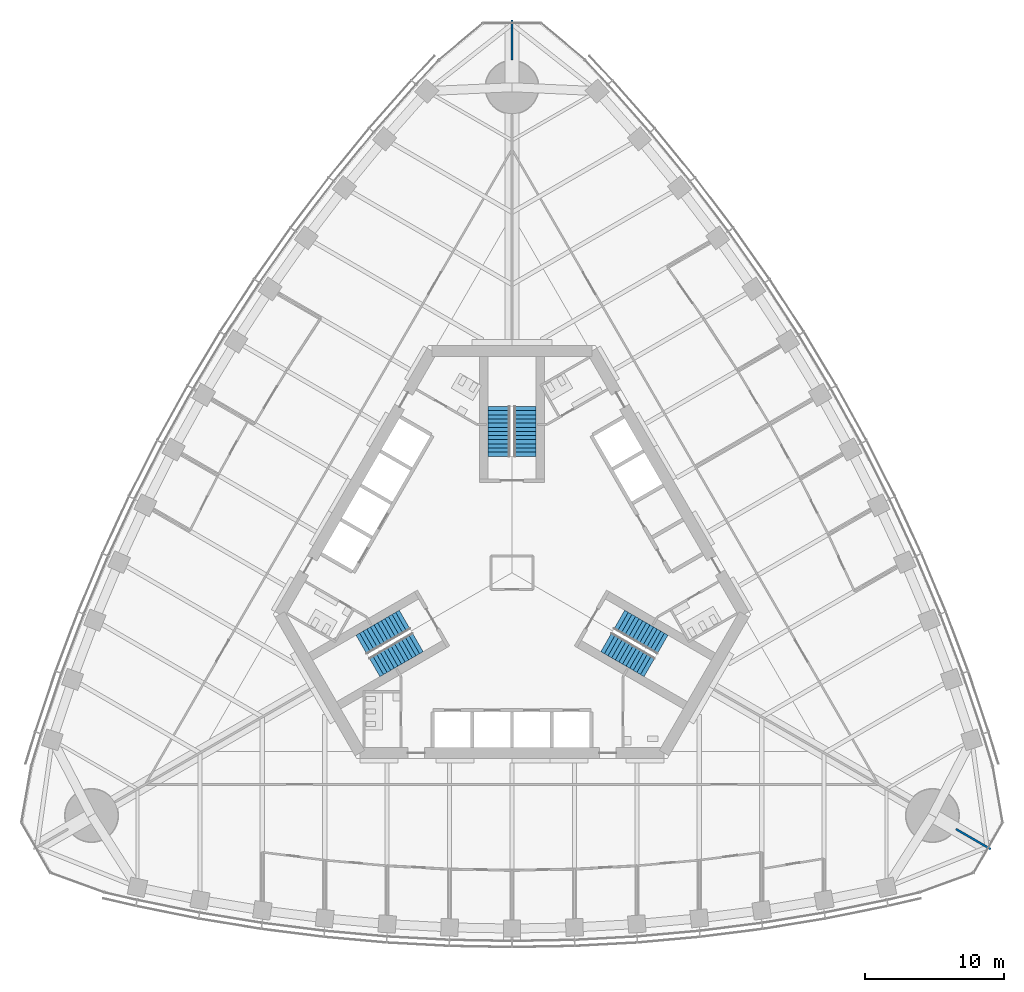
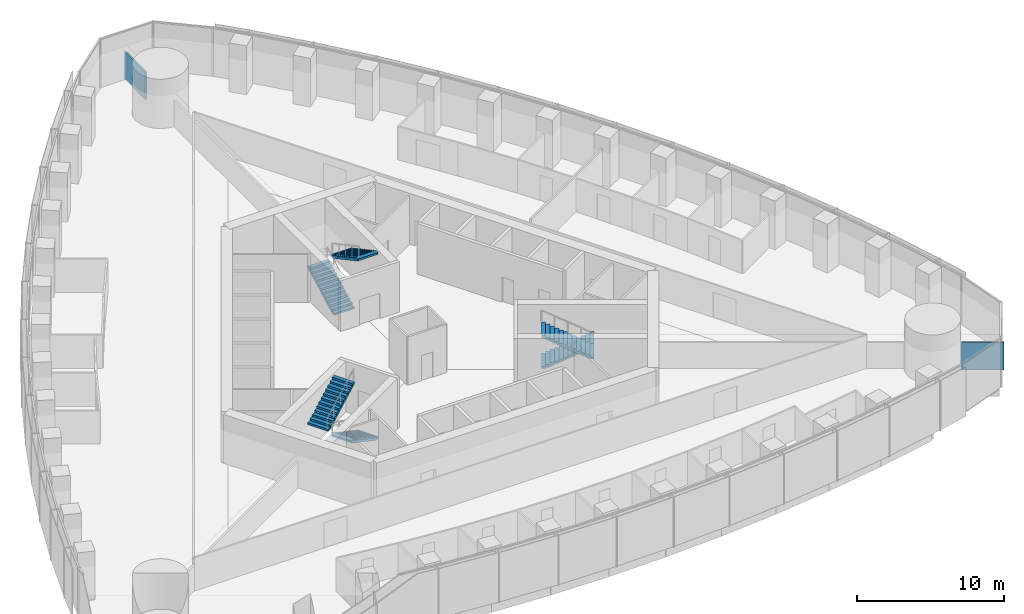
# One storey, part 16 of 21: 6 stair flights, 2 walls, 3 elements without a shape of their own.
"""IFC4 building model written with IfcOpenShell, lengths in metres."""

from ifc_helpers import new_model, si_unit, direction, frame, frame_2d, origin, place, context, subcontext, project, spatial, polyline, rectangle, outline, extrude, material, layer, layer_set, type_object, element, aggregate, save


model = new_model("IFC4")

# Units and contexts
model_context = context("Model", 3, precision=1e-05, world=origin(), true_north=direction((0.0, 1.0)))
body_context = subcontext(model_context, "Body", "Model", "MODEL_VIEW")
ifc_project = project(units=[si_unit("LENGTHUNIT", "METRE"), si_unit("AREAUNIT", "SQUARE_METRE"), si_unit("VOLUMEUNIT", "CUBIC_METRE"), si_unit("PLANEANGLEUNIT", "RADIAN"), si_unit("MASSUNIT", "GRAM", prefix="KILO")], contexts=[model_context])

# Site, building, storey
site_placement = place(None, origin())
site = spatial("IfcSite", under=ifc_project, at=site_placement, CompositionType="ELEMENT")
building_placement = place(site_placement, origin())
building = spatial("IfcBuilding", under=site, at=building_placement, Name="Trefoil Bronze Tower", CompositionType="ELEMENT")
storey_placement = place(building_placement, frame((0.0, 0.0, 145.10009765625)))
storey = spatial("IfcBuildingStorey", under=building, at=storey_placement, Name="L33", CompositionType="ELEMENT", Elevation=145.10009765625)

# Walls
ifc_material_1 = material(Name="Gypsum board on steel studs", Category="steel")
ifc_layer = layer(ifc_material_1, 0.14990234375)
ifc_layer_set = layer_set([ifc_layer], Name="Party wall 150")
wall_type = type_object("IfcWallType", Name="Party wall 150", PredefinedType="PARTITIONING", material=ifc_layer_set)
wall_1_placement = place(storey_placement, frame((31.999755859375, -18.47509765625, 0.0), z_axis=(0.0, 0.0, 1.0), x_axis=(0.866042548026, -0.499970304126, 0.0)))
element("IfcWall", 1, at=wall_1_placement, inside=storey, type_object=wall_type, Name="Party wall K1 L33", PredefinedType="PARTITIONING", context=body_context, shape_type="SweptSolid", body=[
    extrude(rectangle(XDim=2.899169921875, YDim=0.14990234375, at=frame_2d((1.44970703125, 0.0))), origin(), (0.0, 0.0, 1.0), 2.2998046875),
])
wall_2_placement = place(storey_placement, frame((0.0, 36.949951171875, 0.0), z_axis=(0.0, 0.0, 1.0), x_axis=(0.0, 1.0, 0.0)))
element("IfcWall", 2, at=wall_2_placement, inside=storey, type_object=wall_type, Name="Party wall K2 L33", PredefinedType="PARTITIONING", context=body_context, shape_type="SweptSolid", body=[
    extrude(rectangle(XDim=2.8994140625, YDim=0.14990234375, at=frame_2d((1.44970703125, 0.0))), origin(), (0.0, 0.0, 1.0), 2.2998046875),
])

# Stair, stair flights
ifc_material_2 = material(Name="Precast concrete B80", Category="concrete")
stair_type = type_object("IfcStairType", Name="Exit stair 26 risers", PredefinedType="HALF_TURN_STAIR", material=ifc_material_2)
stair_1_placement = place(storey_placement, origin())
stair_1 = element("IfcStair", 3, at=stair_1_placement, inside=storey, type_object=stair_type, Name="Stair ST1 L33", PredefinedType="HALF_TURN_STAIR")
ifc_material_3 = material(Name="Precast concrete B80", Category="concrete")
stair_flight_type = type_object("IfcStairFlightType", Name="Stair flight 1600", PredefinedType="STRAIGHT", material=ifc_material_3)
stair_flight_1_placement = place(storey_placement, frame((7.728515625, -3.39404296875, 0.0), z_axis=(0.0, 0.0, 1.0), x_axis=(0.866025403784, -0.5, 0.0)))
stair_flight_1 = element("IfcStairFlight", 4, at=stair_flight_1_placement, type_object=stair_flight_type, Name="ST1 flight 1", NumberOfRisers=13, NumberOfTreads=12, PredefinedType="STRAIGHT", RiserHeight=0.161538462, TreadLength=0.3, context=body_context, shape_type="SweptSolid", body=[
    extrude(outline(polyline([(0.0, 0.0), (0.0, 0.16162109375), (0.300048828125, 0.16162109375), (0.300048828125, 0.322998046875), (0.60009765625, 0.322998046875), (0.60009765625, 0.484619140625), (0.89990234375, 0.484619140625), (0.89990234375, 0.646240234375), (1.199951171875, 0.646240234375), (1.199951171875, 0.8076171875), (1.5, 0.8076171875), (1.5, 0.96923828125), (1.800048828125, 0.96923828125), (1.800048828125, 1.130859375), (2.10009765625, 1.130859375), (2.10009765625, 1.292236328125), (2.39990234375, 1.292236328125), (2.39990234375, 1.453857421875), (2.699951171875, 1.453857421875), (2.699951171875, 1.615478515625), (3.0, 1.615478515625), (3.0, 1.77685546875), (3.300048828125, 1.77685546875), (3.300048828125, 1.9384765625), (3.60009765625, 1.9384765625), (3.60009765625, 2.10009765625), (3.60009765625, 1.768310546875), (0.316162109375, 0.0), (0.0, 0.0)])), frame((0.0, 0.800048828125, 0.0), z_axis=(0.0, -1.0, 0.0), x_axis=(1.0, 0.0, 0.0)), (0.0, 0.0, 1.0), 1.60009765625),
])
stair_flight_2_placement = place(storey_placement, frame((9.921142578125, -6.796142578125, 2.099853515625), z_axis=(0.0, 0.0, 1.0), x_axis=(-0.866025403784, 0.5, 0.0)))
stair_flight_2 = element("IfcStairFlight", 5, at=stair_flight_2_placement, type_object=stair_flight_type, Name="ST1 flight 2", NumberOfRisers=13, NumberOfTreads=12, PredefinedType="STRAIGHT", RiserHeight=0.161538462, TreadLength=0.3, context=body_context, shape_type="SweptSolid", body=[
    extrude(outline(polyline([(0.0, 0.0), (0.0, 0.16162109375), (0.300048828125, 0.16162109375), (0.300048828125, 0.322998046875), (0.60009765625, 0.322998046875), (0.60009765625, 0.484619140625), (0.89990234375, 0.484619140625), (0.89990234375, 0.646240234375), (1.199951171875, 0.646240234375), (1.199951171875, 0.8076171875), (1.5, 0.8076171875), (1.5, 0.96923828125), (1.800048828125, 0.96923828125), (1.800048828125, 1.130859375), (2.10009765625, 1.130859375), (2.10009765625, 1.292236328125), (2.39990234375, 1.292236328125), (2.39990234375, 1.453857421875), (2.699951171875, 1.453857421875), (2.699951171875, 1.615478515625), (3.0, 1.615478515625), (3.0, 1.77685546875), (3.300048828125, 1.77685546875), (3.300048828125, 1.9384765625), (3.60009765625, 1.9384765625), (3.60009765625, 2.10009765625), (3.60009765625, 1.768310546875), (0.316162109375, 0.0), (0.0, 0.0)])), frame((0.0, 0.800048828125, 0.0), z_axis=(0.0, -1.0, 0.0), x_axis=(1.0, 0.0, 0.0)), (0.0, 0.0, 1.0), 1.60009765625),
])
aggregate(stair_1, [stair_flight_1, stair_flight_2])

stair_2_placement = place(storey_placement, origin())
stair_2 = element("IfcStair", 6, at=stair_2_placement, inside=storey, type_object=stair_type, Name="Stair ST2 L33", PredefinedType="HALF_TURN_STAIR")
stair_flight_3_placement = place(storey_placement, frame((-0.925048828125, 8.389892578125, 0.0), z_axis=(0.0, 0.0, 1.0), x_axis=(0.0, 1.0, 0.0)))
stair_flight_3 = element("IfcStairFlight", 7, at=stair_flight_3_placement, type_object=stair_flight_type, Name="ST2 flight 1", NumberOfRisers=13, NumberOfTreads=12, PredefinedType="STRAIGHT", RiserHeight=0.161538462, TreadLength=0.3, context=body_context, shape_type="SweptSolid", body=[
    extrude(outline(polyline([(0.0, 0.0), (0.0, 0.16162109375), (0.300048828125, 0.16162109375), (0.300048828125, 0.322998046875), (0.60009765625, 0.322998046875), (0.60009765625, 0.484619140625), (0.89990234375, 0.484619140625), (0.89990234375, 0.646240234375), (1.199951171875, 0.646240234375), (1.199951171875, 0.8076171875), (1.5, 0.8076171875), (1.5, 0.96923828125), (1.800048828125, 0.96923828125), (1.800048828125, 1.130859375), (2.10009765625, 1.130859375), (2.10009765625, 1.292236328125), (2.39990234375, 1.292236328125), (2.39990234375, 1.453857421875), (2.699951171875, 1.453857421875), (2.699951171875, 1.615478515625), (3.0, 1.615478515625), (3.0, 1.77685546875), (3.300048828125, 1.77685546875), (3.300048828125, 1.9384765625), (3.60009765625, 1.9384765625), (3.60009765625, 2.10009765625), (3.60009765625, 1.768310546875), (0.316162109375, 0.0), (0.0, 0.0)])), frame((0.0, 0.800048828125, 0.0), z_axis=(0.0, -1.0, 0.0), x_axis=(1.0, 0.0, 0.0)), (0.0, 0.0, 1.0), 1.60009765625),
])
stair_flight_4_placement = place(storey_placement, frame((0.925048828125, 11.989990234375, 2.099853515625), z_axis=(0.0, 0.0, 1.0), x_axis=(0.0, -1.0, 0.0)))
stair_flight_4 = element("IfcStairFlight", 8, at=stair_flight_4_placement, type_object=stair_flight_type, Name="ST2 flight 2", NumberOfRisers=13, NumberOfTreads=12, PredefinedType="STRAIGHT", RiserHeight=0.161538462, TreadLength=0.3, context=body_context, shape_type="SweptSolid", body=[
    extrude(outline(polyline([(0.0, 0.0), (0.0, 0.16162109375), (0.300048828125, 0.16162109375), (0.300048828125, 0.322998046875), (0.60009765625, 0.322998046875), (0.60009765625, 0.484619140625), (0.89990234375, 0.484619140625), (0.89990234375, 0.646240234375), (1.199951171875, 0.646240234375), (1.199951171875, 0.8076171875), (1.5, 0.8076171875), (1.5, 0.96923828125), (1.800048828125, 0.96923828125), (1.800048828125, 1.130859375), (2.10009765625, 1.130859375), (2.10009765625, 1.292236328125), (2.39990234375, 1.292236328125), (2.39990234375, 1.453857421875), (2.699951171875, 1.453857421875), (2.699951171875, 1.615478515625), (3.0, 1.615478515625), (3.0, 1.77685546875), (3.300048828125, 1.77685546875), (3.300048828125, 1.9384765625), (3.60009765625, 1.9384765625), (3.60009765625, 2.10009765625), (3.60009765625, 1.768310546875), (0.316162109375, 0.0), (0.0, 0.0)])), frame((0.0, 0.800048828125, 0.0), z_axis=(0.0, -1.0, 0.0), x_axis=(1.0, 0.0, 0.0)), (0.0, 0.0, 1.0), 1.60009765625),
])
aggregate(stair_2, [stair_flight_3, stair_flight_4])

stair_3_placement = place(storey_placement, origin())
stair_3 = element("IfcStair", 9, at=stair_3_placement, inside=storey, type_object=stair_type, Name="Stair ST3 L33", PredefinedType="HALF_TURN_STAIR")
stair_flight_5_placement = place(storey_placement, frame((-6.803466796875, -4.99609375, 0.0), z_axis=(0.0, 0.0, 1.0), x_axis=(-0.866025403784, -0.5, 0.0)))
stair_flight_5 = element("IfcStairFlight", 10, at=stair_flight_5_placement, type_object=stair_flight_type, Name="ST3 flight 1", NumberOfRisers=13, NumberOfTreads=12, PredefinedType="STRAIGHT", RiserHeight=0.161538462, TreadLength=0.3, context=body_context, shape_type="SweptSolid", body=[
    extrude(outline(polyline([(0.0, 0.0), (0.0, 0.16162109375), (0.300048828125, 0.16162109375), (0.300048828125, 0.322998046875), (0.60009765625, 0.322998046875), (0.60009765625, 0.484619140625), (0.89990234375, 0.484619140625), (0.89990234375, 0.646240234375), (1.199951171875, 0.646240234375), (1.199951171875, 0.8076171875), (1.5, 0.8076171875), (1.5, 0.96923828125), (1.800048828125, 0.96923828125), (1.800048828125, 1.130859375), (2.10009765625, 1.130859375), (2.10009765625, 1.292236328125), (2.39990234375, 1.292236328125), (2.39990234375, 1.453857421875), (2.699951171875, 1.453857421875), (2.699951171875, 1.615478515625), (3.0, 1.615478515625), (3.0, 1.77685546875), (3.300048828125, 1.77685546875), (3.300048828125, 1.9384765625), (3.60009765625, 1.9384765625), (3.60009765625, 2.10009765625), (3.60009765625, 1.768310546875), (0.316162109375, 0.0), (0.0, 0.0)])), frame((0.0, 0.800048828125, 0.0), z_axis=(0.0, -1.0, 0.0), x_axis=(1.0, 0.0, 0.0)), (0.0, 0.0, 1.0), 1.60009765625),
])
stair_flight_6_placement = place(storey_placement, frame((-10.84619140625, -5.19384765625, 2.099853515625), z_axis=(0.0, 0.0, 1.0), x_axis=(0.866025403784, 0.5, 0.0)))
stair_flight_6 = element("IfcStairFlight", 11, at=stair_flight_6_placement, type_object=stair_flight_type, Name="ST3 flight 2", NumberOfRisers=13, NumberOfTreads=12, PredefinedType="STRAIGHT", RiserHeight=0.161538462, TreadLength=0.3, context=body_context, shape_type="SweptSolid", body=[
    extrude(outline(polyline([(0.0, 0.0), (0.0, 0.16162109375), (0.300048828125, 0.16162109375), (0.300048828125, 0.322998046875), (0.60009765625, 0.322998046875), (0.60009765625, 0.484619140625), (0.89990234375, 0.484619140625), (0.89990234375, 0.646240234375), (1.199951171875, 0.646240234375), (1.199951171875, 0.8076171875), (1.5, 0.8076171875), (1.5, 0.96923828125), (1.800048828125, 0.96923828125), (1.800048828125, 1.130859375), (2.10009765625, 1.130859375), (2.10009765625, 1.292236328125), (2.39990234375, 1.292236328125), (2.39990234375, 1.453857421875), (2.699951171875, 1.453857421875), (2.699951171875, 1.615478515625), (3.0, 1.615478515625), (3.0, 1.77685546875), (3.300048828125, 1.77685546875), (3.300048828125, 1.9384765625), (3.60009765625, 1.9384765625), (3.60009765625, 2.10009765625), (3.60009765625, 1.768310546875), (0.316162109375, 0.0), (0.0, 0.0)])), frame((0.0, 0.800048828125, 0.0), z_axis=(0.0, -1.0, 0.0), x_axis=(1.0, 0.0, 0.0)), (0.0, 0.0, 1.0), 1.60009765625),
])
aggregate(stair_3, [stair_flight_5, stair_flight_6])

save(model, "model.ifc")
